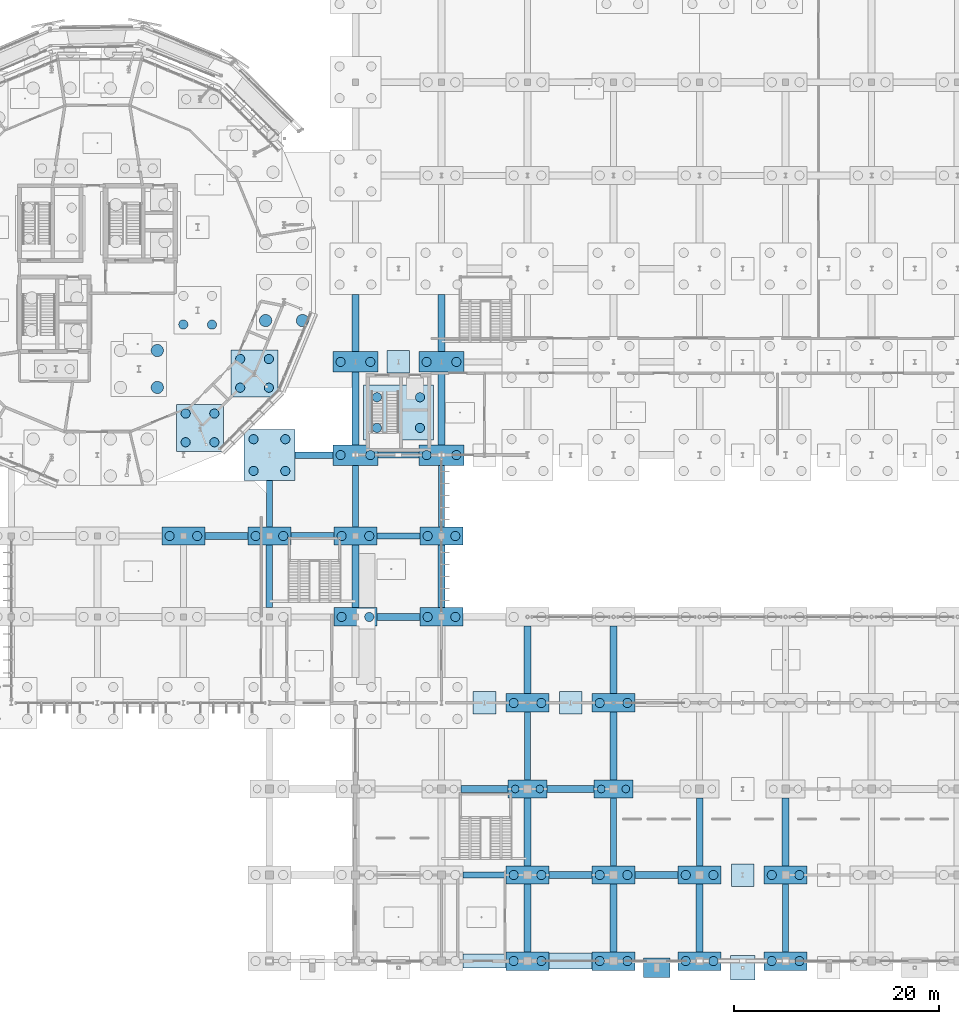
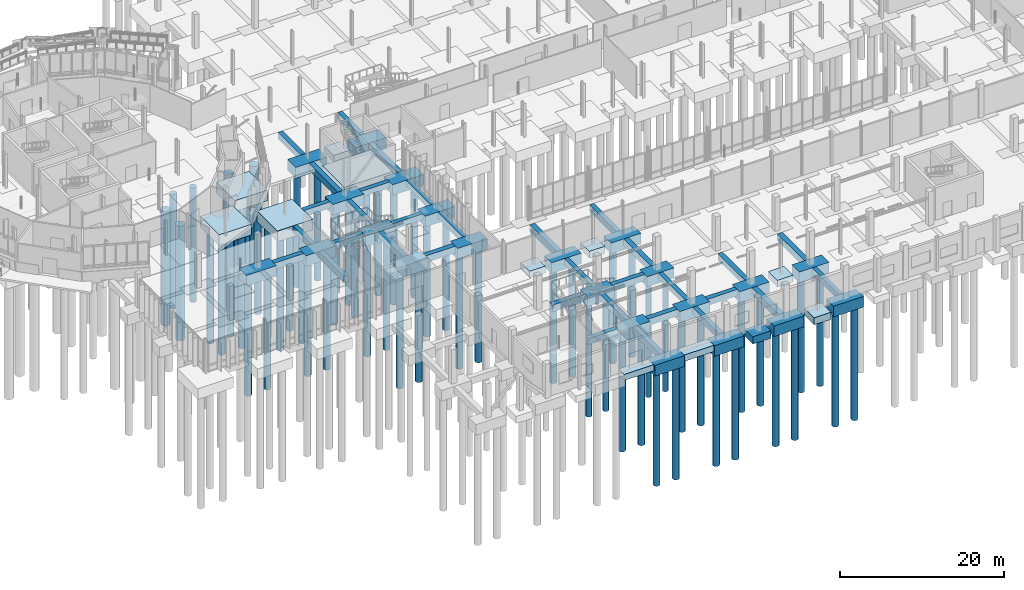
# One storey, part 2 of 119: 67 footings, 66 piles.
"""IFC4 building model written with IfcOpenShell, lengths in metres."""

from ifc_helpers import new_model, si_unit, derived_unit, direction, frame, origin, origin_2d, place, context, subcontext, project, spatial, rectangle, circle, extrude, material, layer, layer_set, material_profile, profile_set, type_object, element, save


model = new_model("IFC4")

# Units and contexts
model_context = context("Model", 3, precision=1e-05, world=origin(), true_north=direction((0.0, 1.0)))
body_context = subcontext(model_context, "Body", "Model", "MODEL_VIEW")
ifc_project = project(units=[si_unit("LENGTHUNIT", "METRE"), si_unit("AREAUNIT", "SQUARE_METRE"), si_unit("VOLUMEUNIT", "CUBIC_METRE"), si_unit("PLANEANGLEUNIT", "RADIAN"), si_unit("MASSUNIT", "GRAM", prefix="KILO"), derived_unit("THERMALTRANSMITTANCEUNIT", [(si_unit("MASSUNIT", "GRAM", prefix="KILO"), 1), (si_unit("TIMEUNIT", "SECOND"), -3), (si_unit("THERMODYNAMICTEMPERATUREUNIT", "KELVIN"), -1)])], contexts=[model_context])

# Site, building, storey
site_placement = place(None, origin())
site = spatial("IfcSite", under=ifc_project, at=site_placement, CompositionType="ELEMENT")
building_placement = place(site_placement, origin())
building = spatial("IfcBuilding", under=site, at=building_placement, Name="Makaiwela Harbour Ferry Terminal", CompositionType="ELEMENT")
storey_placement = place(building_placement, origin())
storey = spatial("IfcBuildingStorey", under=building, at=storey_placement, Name="L00", CompositionType="ELEMENT", Elevation=0.0)

# Footings
ifc_material_1 = material(Name="Concrete f'c 45 MPa (6500 psi)", Category="concrete")
ifc_layer_1 = layer(ifc_material_1, 1.0)
ifc_layer_set_1 = layer_set([ifc_layer_1], Name="Concrete f'c 45 MPa (6500 psi)")
footing_type_1 = type_object("IfcFootingType", Name="FND-PAD-01", PredefinedType="PAD_FOOTING", material=ifc_layer_set_1)
for number, where, z_axis, x_axis, name in (
    (1, (67.199951171875, 58.5, -1.0), (0.0, 0.0, 1.0), (1.0, 0.0, 0.0), "Foundation Footing PF-01"),
    (2, (75.60009765625, 25.199951171875, -1.0), (0.0, 0.0, 1.0), (1.0, 0.0, 0.0), "Foundation Footing PF-01"),
    (3, (84.0, 25.199951171875, -1.0), (0.0, 0.0, 1.0), (1.0, 0.0, 0.0), "Foundation Footing PF-01"),
    (4, (100.800048828125, 8.39990234375, -1.0), (0.0, 0.0, 1.0), (1.0, 0.0, 0.0), "Foundation Footing PF-01"),
):
    element("IfcFooting", number, at=place(storey_placement, frame(where, z_axis=z_axis, x_axis=x_axis)), inside=storey, type_object=footing_type_1, Name=name, PredefinedType="PAD_FOOTING", context=body_context, shape_type="SweptSolid", body=[
        extrude(rectangle(XDim=2.199951171875, YDim=2.199951171875, at=origin_2d()), origin(), (0.0, 0.0, 1.0), 1.0),
    ])
ifc_layer_2 = layer(ifc_material_1, 1.10009765625)
ifc_layer_set_2 = layer_set([ifc_layer_2], Name="Concrete f'c 45 MPa (6500 psi)")
footing_type_2 = type_object("IfcFootingType", Name="FND-PAD-02", PredefinedType="PAD_FOOTING", material=ifc_layer_set_2)
footing_1_placement = place(storey_placement, frame((92.39990234375, -0.64990234375, -1.10009765625), z_axis=(0.0, 0.0, 1.0), x_axis=(1.0, 0.0, 0.0)))
element("IfcFooting", 5, at=footing_1_placement, inside=storey, type_object=footing_type_2, Name="Foundation Footing PF-02", PredefinedType="PAD_FOOTING", context=body_context, shape_type="SweptSolid", body=[
    extrude(rectangle(XDim=2.60009765625, YDim=1.89990234375, at=origin_2d()), origin(), (0.0, 0.0, 1.0), 1.10009765625),
])
ifc_layer_3 = layer(ifc_material_1, 1.050048828125)
ifc_layer_set_3 = layer_set([ifc_layer_3], Name="Concrete f'c 45 MPa (6500 psi)")
footing_type_3 = type_object("IfcFootingType", Name="FND-PAD-03", PredefinedType="PAD_FOOTING", material=ifc_layer_set_3)
footing_2_placement = place(storey_placement, frame((100.800048828125, -0.64990234375, -1.0498046875), z_axis=(0.0, 0.0, 1.0), x_axis=(1.0, 0.0, 0.0)))
element("IfcFooting", 6, at=footing_2_placement, inside=storey, type_object=footing_type_3, Name="Foundation Footing PF-03", PredefinedType="PAD_FOOTING", context=body_context, shape_type="SweptSolid", body=[
    extrude(rectangle(XDim=2.39990234375, YDim=2.39990234375, at=origin_2d()), origin(), (0.0, 0.0, 1.0), 1.050048828125),
])
ifc_layer_4 = layer(ifc_material_1, 1.60009765625)
ifc_layer_set_4 = layer_set([ifc_layer_4], Name="Concrete f'c 45 MPa (6500 psi)")
footing_type_4 = type_object("IfcFootingType", Name="FND-PC-01", PredefinedType="PILE_CAP", material=ifc_layer_set_4)
for number, where, z_axis, x_axis, name in (
    (7, (46.199951171875, 41.5, -1.60009765625), (0.0, 0.0, 1.0), (1.0, 0.0, 0.0), "Foundation Footing PC-01"),
    (8, (54.60009765625, 41.5, -1.60009765625), (0.0, 0.0, 1.0), (1.0, 0.0, 0.0), "Foundation Footing PC-01"),
    (9, (63.0, 33.60009765625, -1.60009765625), (0.0, 0.0, 1.0), (1.0, 0.0, 0.0), "Foundation Footing PC-01"),
    (10, (63.0, 41.5, -1.60009765625), (0.0, 0.0, 1.0), (1.0, 0.0, 0.0), "Foundation Footing PC-01"),
    (11, (71.39990234375, 33.60009765625, -1.60009765625), (0.0, 0.0, 1.0), (1.0, 0.0, 0.0), "Foundation Footing PC-01"),
    (12, (71.39990234375, 41.5, -1.60009765625), (0.0, 0.0, 1.0), (1.0, 0.0, 0.0), "Foundation Footing PC-01"),
    (13, (79.800048828125, 25.199951171875, -1.60009765625), (0.0, 0.0, 1.0), (1.0, 0.0, 0.0), "Foundation Footing PC-01"),
    (14, (88.199951171875, 25.199951171875, -1.60009765625), (0.0, 0.0, 1.0), (1.0, 0.0, 0.0), "Foundation Footing PC-01"),
    (15, (79.800048828125, 0.0, -1.60009765625), (0.0, 0.0, 1.0), (1.0, 0.0, 0.0), "Foundation Footing PC-01"),
    (16, (79.800048828125, 8.39990234375, -1.60009765625), (0.0, 0.0, 1.0), (1.0, 0.0, 0.0), "Foundation Footing PC-01"),
    (17, (88.199951171875, 0.0, -1.60009765625), (0.0, 0.0, 1.0), (1.0, 0.0, 0.0), "Foundation Footing PC-01"),
    (18, (88.199951171875, 8.39990234375, -1.60009765625), (0.0, 0.0, 1.0), (1.0, 0.0, 0.0), "Foundation Footing PC-01"),
    (19, (96.60009765625, 0.0, -1.60009765625), (0.0, 0.0, 1.0), (1.0, 0.0, 0.0), "Foundation Footing PC-01"),
    (20, (96.60009765625, 8.39990234375, -1.60009765625), (0.0, 0.0, 1.0), (1.0, 0.0, 0.0), "Foundation Footing PC-01"),
    (21, (105.0, 0.0, -1.60009765625), (0.0, 0.0, 1.0), (1.0, 0.0, 0.0), "Foundation Footing PC-01"),
    (22, (105.0, 8.39990234375, -1.60009765625), (0.0, 0.0, 1.0), (1.0, 0.0, 0.0), "Foundation Footing PC-01"),
):
    element("IfcFooting", number, at=place(storey_placement, frame(where, z_axis=z_axis, x_axis=x_axis)), inside=storey, type_object=footing_type_4, Name=name, PredefinedType="PILE_CAP", context=body_context, shape_type="SweptSolid", body=[
        extrude(rectangle(XDim=4.199951171875, YDim=1.800048828125, at=origin_2d()), origin(), (0.0, 0.0, 1.0), 1.60009765625),
    ])
ifc_layer_5 = layer(ifc_material_1, 1.60009765625)
ifc_layer_set_5 = layer_set([ifc_layer_5], Name="Concrete f'c 45 MPa (6500 psi)")
footing_type_5 = type_object("IfcFootingType", Name="FND-PC-02", PredefinedType="PILE_CAP", material=ifc_layer_set_5)
for number, where, z_axis, x_axis, name in (
    (23, (63.0, 49.39990234375, -1.60009765625), (0.0, 0.0, 1.0), (1.0, 0.0, 0.0), "Foundation Footing PC-02"),
    (24, (63.0, 58.5, -1.60009765625), (0.0, 0.0, 1.0), (1.0, 0.0, 0.0), "Foundation Footing PC-02"),
    (25, (71.39990234375, 49.39990234375, -1.60009765625), (0.0, 0.0, 1.0), (1.0, 0.0, 0.0), "Foundation Footing PC-02"),
    (26, (71.39990234375, 58.5, -1.60009765625), (0.0, 0.0, 1.0), (1.0, 0.0, 0.0), "Foundation Footing PC-02"),
):
    element("IfcFooting", number, at=place(storey_placement, frame(where, z_axis=z_axis, x_axis=x_axis)), inside=storey, type_object=footing_type_5, Name=name, PredefinedType="PILE_CAP", context=body_context, shape_type="SweptSolid", body=[
        extrude(rectangle(XDim=4.39990234375, YDim=2.0, at=origin_2d()), origin(), (0.0, 0.0, 1.0), 1.60009765625),
    ])
ifc_layer_6 = layer(ifc_material_1, 1.60009765625)
ifc_layer_set_6 = layer_set([ifc_layer_6], Name="Concrete f'c 45 MPa (6500 psi)")
footing_type_6 = type_object("IfcFootingType", Name="FND-PC-03", PredefinedType="PILE_CAP", material=ifc_layer_set_6)
for number, where, z_axis, x_axis, name in (
    (27, (47.822509765625, 52.052490234375, -1.60009765625), (0.0, 0.0, 1.0), (1.0, 0.0, 0.0), "Foundation Footing PC-03"),
    (28, (53.1474609375, 57.37744140625, -1.60009765625), (0.0, 0.0, 1.0), (1.0, 0.0, 0.0), "Foundation Footing PC-03"),
):
    element("IfcFooting", number, at=place(storey_placement, frame(where, z_axis=z_axis, x_axis=x_axis)), inside=storey, type_object=footing_type_6, Name=name, PredefinedType="PILE_CAP", context=body_context, shape_type="SweptSolid", body=[
        extrude(rectangle(XDim=4.60009765625, YDim=4.60009765625, at=origin_2d()), origin(), (0.0, 0.0, 1.0), 1.60009765625),
    ])
ifc_layer_7 = layer(ifc_material_1, 1.60009765625)
ifc_layer_set_7 = layer_set([ifc_layer_7], Name="Concrete f'c 45 MPa (6500 psi)")
footing_type_7 = type_object("IfcFootingType", Name="FND-PC-04", PredefinedType="PILE_CAP", material=ifc_layer_set_7)
footing_3_placement = place(storey_placement, frame((54.60009765625, 49.39990234375, -1.60009765625), z_axis=(0.0, 0.0, 1.0), x_axis=(1.0, 0.0, 0.0)))
element("IfcFooting", 29, at=footing_3_placement, inside=storey, type_object=footing_type_7, Name="Foundation Footing PC-04", PredefinedType="PILE_CAP", context=body_context, shape_type="SweptSolid", body=[
    extrude(rectangle(XDim=5.0, YDim=5.0, at=origin_2d()), origin(), (0.0, 0.0, 1.0), 1.60009765625),
])
ifc_layer_8 = layer(ifc_material_1, 1.5)
ifc_layer_set_8 = layer_set([ifc_layer_8], Name="Concrete f'c 45 MPa (6500 psi)")
footing_type_8 = type_object("IfcFootingType", Name="FND-PC-07", PredefinedType="PILE_CAP", material=ifc_layer_set_8)
for number, where, z_axis, x_axis, name in (
    (30, (79.800048828125, 16.800048828125, -1.5), (0.0, 0.0, 1.0), (1.0, 0.0, 0.0), "Foundation Footing PC-07"),
    (31, (88.199951171875, 16.800048828125, -1.5), (0.0, 0.0, 1.0), (1.0, 0.0, 0.0), "Foundation Footing PC-07"),
):
    element("IfcFooting", number, at=place(storey_placement, frame(where, z_axis=z_axis, x_axis=x_axis)), inside=storey, type_object=footing_type_8, Name=name, PredefinedType="PILE_CAP", context=body_context, shape_type="SweptSolid", body=[
        extrude(rectangle(XDim=3.800048828125, YDim=1.800048828125, at=origin_2d()), origin(), (0.0, 0.0, 1.0), 1.5),
    ])
ifc_layer_9 = layer(ifc_material_1, 1.60009765625)
ifc_layer_set_9 = layer_set([ifc_layer_9], Name="Concrete f'c 45 MPa (6500 psi)")
footing_type_9 = type_object("IfcFootingType", Name="FND-PC-09", PredefinedType="PILE_CAP", material=ifc_layer_set_9)
footing_4_placement = place(storey_placement, frame((67.199951171875, 53.550048828125, -1.60009765625), z_axis=(0.0, 0.0, 1.0), x_axis=(1.0, 0.0, 0.0)))
element("IfcFooting", 32, at=footing_4_placement, inside=storey, type_object=footing_type_9, Name="Foundation Footing PC-09", PredefinedType="PILE_CAP", context=body_context, shape_type="SweptSolid", body=[
    extrude(rectangle(XDim=6.800048828125, YDim=5.39990234375, at=origin_2d()), origin(), (0.0, 0.0, 1.0), 1.60009765625),
])

# Piles
ifc_material_profile_1 = material_profile(ifc_material_1, circle(Radius=0.60009765625, at=origin_2d()), Name="PILE-D1200")
ifc_profile_set_1 = profile_set([ifc_material_profile_1], Name="Concrete f'c 45 MPa (6500 psi)")
pile_type_1 = type_object("IfcPileType", Name="FND-PIL-D1200", PredefinedType="BORED", material=ifc_profile_set_1)
for number, where, z_axis, x_axis, name in (
    (33, (43.656494140625, 56.0068359375, -1.449951171875), (0.0, 0.0, -1.0), (1.0, 0.0, 0.0), "Marine Pile MP-02"),
    (34, (43.656494140625, 59.60693359375, -1.449951171875), (0.0, 0.0, -1.0), (1.0, 0.0, 0.0), "Marine Pile MP-02"),
    (35, (54.229248046875, 62.534912109375, -1.449951171875), (0.0, 0.0, -1.0), (1.0, 0.0, 0.0), "Marine Pile MP-02"),
    (36, (57.8291015625, 62.534912109375, -1.449951171875), (0.0, 0.0, -1.0), (1.0, 0.0, 0.0), "Marine Pile MP-02"),
):
    element("IfcPile", number, at=place(storey_placement, frame(where, z_axis=z_axis, x_axis=x_axis)), inside=storey, type_object=pile_type_1, Name=name, PredefinedType="BORED", context=body_context, shape_type="SweptSolid", body=[
        extrude(circle(Radius=0.60009765625, at=origin_2d()), origin(), (0.0, 0.0, 1.0), 17.050048828125),
    ])
ifc_material_2 = material(Name="Precast concrete f'c 45 MPa (6500 psi)", Category="concrete")
ifc_material_profile_2 = material_profile(ifc_material_2, circle(Radius=0.375, at=origin_2d()), Name="PILE-D750")
ifc_profile_set_2 = profile_set([ifc_material_profile_2], Name="Precast concrete f'c 45 MPa (6500 psi)")
pile_type_2 = type_object("IfcPileType", Name="FND-PIL-D750", PredefinedType="DRIVEN", material=ifc_profile_set_2)
for number, where, z_axis, x_axis, name in (
    (37, (78.60009765625, 16.800048828125, -1.35009765625), (0.0, 0.0, -1.0), (1.0, 0.0, 0.0), "Marine Pile MP-03"),
    (38, (81.0, 16.800048828125, -1.35009765625), (0.0, 0.0, -1.0), (1.0, 0.0, 0.0), "Marine Pile MP-03"),
    (39, (87.0, 16.800048828125, -1.35009765625), (0.0, 0.0, -1.0), (1.0, 0.0, 0.0), "Marine Pile MP-03"),
    (40, (89.39990234375, 16.800048828125, -1.35009765625), (0.0, 0.0, -1.0), (1.0, 0.0, 0.0), "Marine Pile MP-03"),
):
    element("IfcPile", number, at=place(storey_placement, frame(where, z_axis=z_axis, x_axis=x_axis)), inside=storey, type_object=pile_type_2, Name=name, PredefinedType="DRIVEN", context=body_context, shape_type="SweptSolid", body=[
        extrude(circle(Radius=0.375, at=origin_2d()), origin(), (0.0, 0.0, 1.0), 17.14990234375),
    ])
ifc_material_profile_3 = material_profile(ifc_material_1, circle(Radius=0.449951171875, at=origin_2d()), Name="PILE-D900")
ifc_profile_set_3 = profile_set([ifc_material_profile_3], Name="Concrete f'c 45 MPa (6500 psi)")
pile_type_3 = type_object("IfcPileType", Name="FND-PIL-D900", PredefinedType="BORED", material=ifc_profile_set_3)
for number, where, z_axis, x_axis, name in (
    (41, (65.10009765625, 52.050048828125, -1.449951171875), (0.0, 0.0, -1.0), (1.0, 0.0, 0.0), "Marine Pile MP-01"),
    (42, (69.300048828125, 52.050048828125, -1.449951171875), (0.0, 0.0, -1.0), (1.0, 0.0, 0.0), "Marine Pile MP-01"),
    (43, (65.10009765625, 55.050048828125, -1.449951171875), (0.0, 0.0, -1.0), (1.0, 0.0, 0.0), "Marine Pile MP-01"),
    (44, (69.300048828125, 55.050048828125, -1.449951171875), (0.0, 0.0, -1.0), (1.0, 0.0, 0.0), "Marine Pile MP-01"),
    (45, (46.193115234375, 62.1435546875, -1.449951171875), (0.0, 0.0, -1.0), (1.0, 0.0, 0.0), "Marine Pile MP-01"),
    (46, (48.9931640625, 62.1435546875, -1.449951171875), (0.0, 0.0, -1.0), (1.0, 0.0, 0.0), "Marine Pile MP-01"),
    (47, (46.422607421875, 50.652587890625, -1.449951171875), (0.0, 0.0, -1.0), (1.0, 0.0, 0.0), "Marine Pile MP-01"),
    (48, (49.222412109375, 50.652587890625, -1.449951171875), (0.0, 0.0, -1.0), (1.0, 0.0, 0.0), "Marine Pile MP-01"),
    (49, (46.422607421875, 53.45263671875, -1.449951171875), (0.0, 0.0, -1.0), (1.0, 0.0, 0.0), "Marine Pile MP-01"),
    (50, (49.222412109375, 53.45263671875, -1.449951171875), (0.0, 0.0, -1.0), (1.0, 0.0, 0.0), "Marine Pile MP-01"),
    (51, (51.747314453125, 55.9775390625, -1.449951171875), (0.0, 0.0, -1.0), (1.0, 0.0, 0.0), "Marine Pile MP-01"),
    (52, (54.54736328125, 55.9775390625, -1.449951171875), (0.0, 0.0, -1.0), (1.0, 0.0, 0.0), "Marine Pile MP-01"),
    (53, (51.747314453125, 58.777587890625, -1.449951171875), (0.0, 0.0, -1.0), (1.0, 0.0, 0.0), "Marine Pile MP-01"),
    (54, (54.54736328125, 58.777587890625, -1.449951171875), (0.0, 0.0, -1.0), (1.0, 0.0, 0.0), "Marine Pile MP-01"),
    (55, (61.550048828125, 49.39990234375, -1.449951171875), (0.0, 0.0, -1.0), (1.0, 0.0, 0.0), "Marine Pile MP-01"),
    (56, (64.449951171875, 49.39990234375, -1.449951171875), (0.0, 0.0, -1.0), (1.0, 0.0, 0.0), "Marine Pile MP-01"),
    (57, (61.550048828125, 58.5, -1.449951171875), (0.0, 0.0, -1.0), (1.0, 0.0, 0.0), "Marine Pile MP-01"),
    (58, (64.449951171875, 58.5, -1.449951171875), (0.0, 0.0, -1.0), (1.0, 0.0, 0.0), "Marine Pile MP-01"),
    (59, (69.949951171875, 49.39990234375, -1.449951171875), (0.0, 0.0, -1.0), (1.0, 0.0, 0.0), "Marine Pile MP-01"),
    (60, (72.85009765625, 49.39990234375, -1.449951171875), (0.0, 0.0, -1.0), (1.0, 0.0, 0.0), "Marine Pile MP-01"),
    (61, (69.949951171875, 58.5, -1.449951171875), (0.0, 0.0, -1.0), (1.0, 0.0, 0.0), "Marine Pile MP-01"),
    (62, (72.85009765625, 58.5, -1.449951171875), (0.0, 0.0, -1.0), (1.0, 0.0, 0.0), "Marine Pile MP-01"),
    (63, (44.85009765625, 41.5, -1.449951171875), (0.0, 0.0, -1.0), (1.0, 0.0, 0.0), "Marine Pile MP-01"),
    (64, (47.550048828125, 41.5, -1.449951171875), (0.0, 0.0, -1.0), (1.0, 0.0, 0.0), "Marine Pile MP-01"),
    (65, (53.25, 41.5, -1.449951171875), (0.0, 0.0, -1.0), (1.0, 0.0, 0.0), "Marine Pile MP-01"),
    (66, (55.949951171875, 41.5, -1.449951171875), (0.0, 0.0, -1.0), (1.0, 0.0, 0.0), "Marine Pile MP-01"),
    (67, (53.050048828125, 47.85009765625, -1.449951171875), (0.0, 0.0, -1.0), (1.0, 0.0, 0.0), "Marine Pile MP-01"),
    (68, (56.14990234375, 47.85009765625, -1.449951171875), (0.0, 0.0, -1.0), (1.0, 0.0, 0.0), "Marine Pile MP-01"),
    (69, (53.050048828125, 50.949951171875, -1.449951171875), (0.0, 0.0, -1.0), (1.0, 0.0, 0.0), "Marine Pile MP-01"),
    (70, (56.14990234375, 50.949951171875, -1.449951171875), (0.0, 0.0, -1.0), (1.0, 0.0, 0.0), "Marine Pile MP-01"),
    (71, (61.64990234375, 33.60009765625, -1.449951171875), (0.0, 0.0, -1.0), (1.0, 0.0, 0.0), "Marine Pile MP-01"),
    (72, (64.35009765625, 33.60009765625, -1.449951171875), (0.0, 0.0, -1.0), (1.0, 0.0, 0.0), "Marine Pile MP-01"),
    (73, (61.64990234375, 41.5, -1.449951171875), (0.0, 0.0, -1.0), (1.0, 0.0, 0.0), "Marine Pile MP-01"),
    (74, (64.35009765625, 41.5, -1.449951171875), (0.0, 0.0, -1.0), (1.0, 0.0, 0.0), "Marine Pile MP-01"),
    (75, (70.050048828125, 33.60009765625, -1.449951171875), (0.0, 0.0, -1.0), (1.0, 0.0, 0.0), "Marine Pile MP-01"),
    (76, (72.75, 33.60009765625, -1.449951171875), (0.0, 0.0, -1.0), (1.0, 0.0, 0.0), "Marine Pile MP-01"),
    (77, (70.050048828125, 41.5, -1.449951171875), (0.0, 0.0, -1.0), (1.0, 0.0, 0.0), "Marine Pile MP-01"),
    (78, (72.75, 41.5, -1.449951171875), (0.0, 0.0, -1.0), (1.0, 0.0, 0.0), "Marine Pile MP-01"),
    (79, (78.449951171875, 25.199951171875, -1.449951171875), (0.0, 0.0, -1.0), (1.0, 0.0, 0.0), "Marine Pile MP-01"),
    (80, (81.14990234375, 25.199951171875, -1.449951171875), (0.0, 0.0, -1.0), (1.0, 0.0, 0.0), "Marine Pile MP-01"),
    (81, (86.85009765625, 25.199951171875, -1.449951171875), (0.0, 0.0, -1.0), (1.0, 0.0, 0.0), "Marine Pile MP-01"),
    (82, (89.550048828125, 25.199951171875, -1.449951171875), (0.0, 0.0, -1.0), (1.0, 0.0, 0.0), "Marine Pile MP-01"),
    (83, (78.449951171875, 0.0, -1.449951171875), (0.0, 0.0, -1.0), (1.0, 0.0, 0.0), "Marine Pile MP-01"),
    (84, (81.14990234375, 0.0, -1.449951171875), (0.0, 0.0, -1.0), (1.0, 0.0, 0.0), "Marine Pile MP-01"),
    (85, (78.449951171875, 8.39990234375, -1.449951171875), (0.0, 0.0, -1.0), (1.0, 0.0, 0.0), "Marine Pile MP-01"),
    (86, (81.14990234375, 8.39990234375, -1.449951171875), (0.0, 0.0, -1.0), (1.0, 0.0, 0.0), "Marine Pile MP-01"),
    (87, (86.85009765625, 0.0, -1.449951171875), (0.0, 0.0, -1.0), (1.0, 0.0, 0.0), "Marine Pile MP-01"),
    (88, (89.550048828125, 0.0, -1.449951171875), (0.0, 0.0, -1.0), (1.0, 0.0, 0.0), "Marine Pile MP-01"),
    (89, (86.85009765625, 8.39990234375, -1.449951171875), (0.0, 0.0, -1.0), (1.0, 0.0, 0.0), "Marine Pile MP-01"),
    (90, (89.550048828125, 8.39990234375, -1.449951171875), (0.0, 0.0, -1.0), (1.0, 0.0, 0.0), "Marine Pile MP-01"),
    (91, (95.25, 0.0, -1.449951171875), (0.0, 0.0, -1.0), (1.0, 0.0, 0.0), "Marine Pile MP-01"),
    (92, (97.949951171875, 0.0, -1.449951171875), (0.0, 0.0, -1.0), (1.0, 0.0, 0.0), "Marine Pile MP-01"),
    (93, (95.25, 8.39990234375, -1.449951171875), (0.0, 0.0, -1.0), (1.0, 0.0, 0.0), "Marine Pile MP-01"),
    (94, (97.949951171875, 8.39990234375, -1.449951171875), (0.0, 0.0, -1.0), (1.0, 0.0, 0.0), "Marine Pile MP-01"),
    (95, (103.64990234375, 0.0, -1.449951171875), (0.0, 0.0, -1.0), (1.0, 0.0, 0.0), "Marine Pile MP-01"),
    (96, (106.35009765625, 0.0, -1.449951171875), (0.0, 0.0, -1.0), (1.0, 0.0, 0.0), "Marine Pile MP-01"),
    (97, (103.64990234375, 8.39990234375, -1.449951171875), (0.0, 0.0, -1.0), (1.0, 0.0, 0.0), "Marine Pile MP-01"),
    (98, (106.35009765625, 8.39990234375, -1.449951171875), (0.0, 0.0, -1.0), (1.0, 0.0, 0.0), "Marine Pile MP-01"),
):
    element("IfcPile", number, at=place(storey_placement, frame(where, z_axis=z_axis, x_axis=x_axis)), inside=storey, type_object=pile_type_3, Name=name, PredefinedType="BORED", context=body_context, shape_type="SweptSolid", body=[
        extrude(circle(Radius=0.449951171875, at=origin_2d()), origin(), (0.0, 0.0, 1.0), 17.050048828125),
    ])

# Footings
ifc_layer_10 = layer(ifc_material_1, 0.89990234375)
ifc_layer_set_10 = layer_set([ifc_layer_10], Name="Concrete f'c 45 MPa (6500 psi)")
footing_type_10 = type_object("IfcFootingType", Name="FND-STR-01", PredefinedType="STRIP_FOOTING", material=ifc_layer_set_10)
footing_5_placement = place(storey_placement, frame((75.60009765625, 0.0, -0.89990234375), z_axis=(0.0, 0.0, 1.0), x_axis=(1.0, 0.0, 0.0)))
element("IfcFooting", 99, at=footing_5_placement, inside=storey, type_object=footing_type_10, Name="Foundation Footing SF-01", PredefinedType="STRIP_FOOTING", context=body_context, shape_type="SweptSolid", body=[
    extrude(rectangle(XDim=4.199951171875, YDim=1.39990234375, at=origin_2d()), origin(), (0.0, 0.0, 1.0), 0.89990234375),
])
ifc_layer_11 = layer(ifc_material_1, 0.949951171875)
ifc_layer_set_11 = layer_set([ifc_layer_11], Name="Concrete f'c 45 MPa (6500 psi)")
footing_type_11 = type_object("IfcFootingType", Name="FND-STR-02", PredefinedType="STRIP_FOOTING", material=ifc_layer_set_11)
footing_6_placement = place(storey_placement, frame((84.0, 0.0, -0.9501953125), z_axis=(0.0, 0.0, 1.0), x_axis=(1.0, 0.0, 0.0)))
element("IfcFooting", 100, at=footing_6_placement, inside=storey, type_object=footing_type_11, Name="Foundation Footing SF-02", PredefinedType="STRIP_FOOTING", context=body_context, shape_type="SweptSolid", body=[
    extrude(rectangle(XDim=4.199951171875, YDim=1.550048828125, at=origin_2d()), origin(), (0.0, 0.0, 1.0), 0.949951171875),
])
ifc_layer_12 = layer(ifc_material_1, 0.89990234375)
ifc_layer_set_12 = layer_set([ifc_layer_12], Name="Concrete f'c 45 MPa (6500 psi)")
footing_type_12 = type_object("IfcFootingType", Name="FND-TB-01", PredefinedType="FOOTING_BEAM", material=ifc_layer_set_12)
for number, where, z_axis, x_axis, name in (
    (101, (75.60009765625, 8.39990234375, -0.89990234375), (0.0, 0.0, 1.0), (1.0, 0.0, 0.0), "Foundation Footing TB-01"),
    (102, (67.199951171875, 41.5, -0.89990234375), (0.0, 0.0, 1.0), (1.0, 0.0, 0.0), "Foundation Footing TB-01"),
):
    element("IfcFooting", number, at=place(storey_placement, frame(where, z_axis=z_axis, x_axis=x_axis)), inside=storey, type_object=footing_type_12, Name=name, PredefinedType="FOOTING_BEAM", context=body_context, shape_type="SweptSolid", body=[
        extrude(rectangle(XDim=4.199951171875, YDim=0.60009765625, at=origin_2d()), origin(), (0.0, 0.0, 1.0), 0.89990234375),
    ])
footing_7_placement = place(storey_placement, frame((67.199951171875, 49.39990234375, -0.89990234375), z_axis=(0.0, 0.0, 1.0), x_axis=(1.0, 0.0, 0.0)))
element("IfcFooting", 103, at=footing_7_placement, inside=storey, type_object=footing_type_12, Name="Foundation Footing TB-01", PredefinedType="FOOTING_BEAM", context=body_context, shape_type="SweptSolid", body=[
    extrude(rectangle(XDim=4.0, YDim=0.60009765625, at=origin_2d()), origin(), (0.0, 0.0, 1.0), 0.89990234375),
])
footing_8_placement = place(storey_placement, frame((54.60009765625, 44.64990234375, -0.89990234375), z_axis=(0.0, 0.0, 1.0), x_axis=(0.0, 1.0, 0.0)))
element("IfcFooting", 104, at=footing_8_placement, inside=storey, type_object=footing_type_12, Name="Foundation Footing TB-01", PredefinedType="FOOTING_BEAM", context=body_context, shape_type="SweptSolid", body=[
    extrude(rectangle(XDim=4.5, YDim=0.60009765625, at=origin_2d()), origin(), (0.0, 0.0, 1.0), 0.89990234375),
])
for number, where, z_axis, x_axis, name in (
    (105, (63.0, 45.39990234375, -0.89990234375), (0.0, 0.0, 1.0), (0.0, 1.0, 0.0), "Foundation Footing TB-01"),
    (106, (71.39990234375, 45.39990234375, -0.89990234375), (0.0, 0.0, 1.0), (0.0, 1.0, 0.0), "Foundation Footing TB-01"),
):
    element("IfcFooting", number, at=place(storey_placement, frame(where, z_axis=z_axis, x_axis=x_axis)), inside=storey, type_object=footing_type_12, Name=name, PredefinedType="FOOTING_BEAM", context=body_context, shape_type="SweptSolid", body=[
        extrude(rectangle(XDim=6.0, YDim=0.60009765625, at=origin_2d()), origin(), (0.0, 0.0, 1.0), 0.89990234375),
    ])
for number, where, z_axis, x_axis, name in (
    (107, (79.800048828125, 21.0, -0.89990234375), (0.0, 0.0, 1.0), (0.0, 1.0, 0.0), "Foundation Footing TB-01"),
    (108, (88.199951171875, 12.60009765625, -0.89990234375), (0.0, 0.0, 1.0), (0.0, 1.0, 0.0), "Foundation Footing TB-01"),
    (109, (105.0, 4.199951171875, -0.89990234375), (0.0, 0.0, 1.0), (0.0, 1.0, 0.0), "Foundation Footing TB-01"),
):
    element("IfcFooting", number, at=place(storey_placement, frame(where, z_axis=z_axis, x_axis=x_axis)), inside=storey, type_object=footing_type_12, Name=name, PredefinedType="FOOTING_BEAM", context=body_context, shape_type="SweptSolid", body=[
        extrude(rectangle(XDim=6.60009765625, YDim=0.60009765625, at=origin_2d()), origin(), (0.0, 0.0, 1.0), 0.89990234375),
    ])
ifc_layer_13 = layer(ifc_material_1, 1.0)
ifc_layer_set_13 = layer_set([ifc_layer_13], Name="Concrete f'c 45 MPa (6500 psi)")
footing_type_13 = type_object("IfcFootingType", Name="FND-TB-02", PredefinedType="FOOTING_BEAM", material=ifc_layer_set_13)
footing_9_placement = place(storey_placement, frame((84.0, 8.39990234375, -1.0), z_axis=(0.0, 0.0, 1.0), x_axis=(1.0, 0.0, 0.0)))
element("IfcFooting", 110, at=footing_9_placement, inside=storey, type_object=footing_type_13, Name="Foundation Footing TB-02", PredefinedType="FOOTING_BEAM", context=body_context, shape_type="SweptSolid", body=[
    extrude(rectangle(XDim=4.199951171875, YDim=0.699951171875, at=origin_2d()), origin(), (0.0, 0.0, 1.0), 1.0),
])
footing_10_placement = place(storey_placement, frame((75.60009765625, 16.800048828125, -1.0), z_axis=(0.0, 0.0, 1.0), x_axis=(1.0, 0.0, 0.0)))
element("IfcFooting", 111, at=footing_10_placement, inside=storey, type_object=footing_type_13, Name="Foundation Footing TB-02", PredefinedType="FOOTING_BEAM", context=body_context, shape_type="SweptSolid", body=[
    extrude(rectangle(XDim=4.60009765625, YDim=0.699951171875, at=origin_2d()), origin(), (0.0, 0.0, 1.0), 1.0),
])
for number, where, z_axis, x_axis, name in (
    (112, (67.199951171875, 33.60009765625, -1.0), (0.0, 0.0, 1.0), (1.0, 0.0, 0.0), "Foundation Footing TB-02"),
    (113, (50.39990234375, 41.5, -1.0), (0.0, 0.0, 1.0), (1.0, 0.0, 0.0), "Foundation Footing TB-02"),
):
    element("IfcFooting", number, at=place(storey_placement, frame(where, z_axis=z_axis, x_axis=x_axis)), inside=storey, type_object=footing_type_13, Name=name, PredefinedType="FOOTING_BEAM", context=body_context, shape_type="SweptSolid", body=[
        extrude(rectangle(XDim=4.199951171875, YDim=0.699951171875, at=origin_2d()), origin(), (0.0, 0.0, 1.0), 1.0),
    ])
for number, where, z_axis, x_axis, name in (
    (114, (63.0, 53.949951171875, -1.0), (0.0, 0.0, 1.0), (0.0, 1.0, 0.0), "Foundation Footing TB-02"),
    (115, (71.39990234375, 53.949951171875, -1.0), (0.0, 0.0, 1.0), (0.0, 1.0, 0.0), "Foundation Footing TB-02"),
):
    element("IfcFooting", number, at=place(storey_placement, frame(where, z_axis=z_axis, x_axis=x_axis)), inside=storey, type_object=footing_type_13, Name=name, PredefinedType="FOOTING_BEAM", context=body_context, shape_type="SweptSolid", body=[
        extrude(rectangle(XDim=7.10009765625, YDim=0.699951171875, at=origin_2d()), origin(), (0.0, 0.0, 1.0), 1.0),
    ])
for number, where, z_axis, x_axis, name in (
    (116, (79.800048828125, 4.199951171875, -1.0), (0.0, 0.0, 1.0), (0.0, 1.0, 0.0), "Foundation Footing TB-02"),
    (117, (79.800048828125, 29.39990234375, -1.0), (0.0, 0.0, 1.0), (0.0, 1.0, 0.0), "Foundation Footing TB-02"),
    (118, (88.199951171875, 21.0, -1.0), (0.0, 0.0, 1.0), (0.0, 1.0, 0.0), "Foundation Footing TB-02"),
    (119, (96.60009765625, 4.199951171875, -1.0), (0.0, 0.0, 1.0), (0.0, 1.0, 0.0), "Foundation Footing TB-02"),
    (120, (105.0, 12.60009765625, -1.0), (0.0, 0.0, 1.0), (0.0, 1.0, 0.0), "Foundation Footing TB-02"),
):
    element("IfcFooting", number, at=place(storey_placement, frame(where, z_axis=z_axis, x_axis=x_axis)), inside=storey, type_object=footing_type_13, Name=name, PredefinedType="FOOTING_BEAM", context=body_context, shape_type="SweptSolid", body=[
        extrude(rectangle(XDim=6.60009765625, YDim=0.699951171875, at=origin_2d()), origin(), (0.0, 0.0, 1.0), 1.0),
    ])
ifc_layer_14 = layer(ifc_material_1, 0.949951171875)
ifc_layer_set_14 = layer_set([ifc_layer_14], Name="Concrete f'c 45 MPa (6500 psi)")
footing_type_14 = type_object("IfcFootingType", Name="FND-TB-03", PredefinedType="FOOTING_BEAM", material=ifc_layer_set_14)
footing_11_placement = place(storey_placement, frame((92.39990234375, 8.39990234375, -0.9501953125), z_axis=(0.0, 0.0, 1.0), x_axis=(1.0, 0.0, 0.0)))
element("IfcFooting", 121, at=footing_11_placement, inside=storey, type_object=footing_type_14, Name="Foundation Footing TB-03", PredefinedType="FOOTING_BEAM", context=body_context, shape_type="SweptSolid", body=[
    extrude(rectangle(XDim=4.199951171875, YDim=0.64990234375, at=origin_2d()), origin(), (0.0, 0.0, 1.0), 0.949951171875),
])
footing_12_placement = place(storey_placement, frame((84.0, 16.800048828125, -0.9501953125), z_axis=(0.0, 0.0, 1.0), x_axis=(1.0, 0.0, 0.0)))
element("IfcFooting", 122, at=footing_12_placement, inside=storey, type_object=footing_type_14, Name="Foundation Footing TB-03", PredefinedType="FOOTING_BEAM", context=body_context, shape_type="SweptSolid", body=[
    extrude(rectangle(XDim=4.60009765625, YDim=0.64990234375, at=origin_2d()), origin(), (0.0, 0.0, 1.0), 0.949951171875),
])
footing_13_placement = place(storey_placement, frame((58.800048828125, 41.5, -0.9501953125), z_axis=(0.0, 0.0, 1.0), x_axis=(1.0, 0.0, 0.0)))
element("IfcFooting", 123, at=footing_13_placement, inside=storey, type_object=footing_type_14, Name="Foundation Footing TB-03", PredefinedType="FOOTING_BEAM", context=body_context, shape_type="SweptSolid", body=[
    extrude(rectangle(XDim=4.199951171875, YDim=0.64990234375, at=origin_2d()), origin(), (0.0, 0.0, 1.0), 0.949951171875),
])
footing_14_placement = place(storey_placement, frame((58.949951171875, 49.39990234375, -0.9501953125), z_axis=(0.0, 0.0, 1.0), x_axis=(1.0, 0.0, 0.0)))
element("IfcFooting", 124, at=footing_14_placement, inside=storey, type_object=footing_type_14, Name="Foundation Footing TB-03", PredefinedType="FOOTING_BEAM", context=body_context, shape_type="SweptSolid", body=[
    extrude(rectangle(XDim=3.699951171875, YDim=0.64990234375, at=origin_2d()), origin(), (0.0, 0.0, 1.0), 0.949951171875),
])
for number, where, z_axis, x_axis, name in (
    (125, (54.60009765625, 37.550048828125, -0.9501953125), (0.0, 0.0, 1.0), (0.0, 1.0, 0.0), "Foundation Footing TB-03"),
    (126, (63.0, 37.550048828125, -0.9501953125), (0.0, 0.0, 1.0), (0.0, 1.0, 0.0), "Foundation Footing TB-03"),
):
    element("IfcFooting", number, at=place(storey_placement, frame(where, z_axis=z_axis, x_axis=x_axis)), inside=storey, type_object=footing_type_14, Name=name, PredefinedType="FOOTING_BEAM", context=body_context, shape_type="SweptSolid", body=[
        extrude(rectangle(XDim=6.10009765625, YDim=0.64990234375, at=origin_2d()), origin(), (0.0, 0.0, 1.0), 0.949951171875),
    ])
footing_15_placement = place(storey_placement, frame((63.0, 62.300048828125, -0.9501953125), z_axis=(0.0, 0.0, 1.0), x_axis=(0.0, 1.0, 0.0)))
element("IfcFooting", 127, at=footing_15_placement, inside=storey, type_object=footing_type_14, Name="Foundation Footing TB-03", PredefinedType="FOOTING_BEAM", context=body_context, shape_type="SweptSolid", body=[
    extrude(rectangle(XDim=5.60009765625, YDim=0.64990234375, at=origin_2d()), origin(), (0.0, 0.0, 1.0), 0.949951171875),
])
footing_16_placement = place(storey_placement, frame((71.39990234375, 37.550048828125, -0.9501953125), z_axis=(0.0, 0.0, 1.0), x_axis=(0.0, 1.0, 0.0)))
element("IfcFooting", 128, at=footing_16_placement, inside=storey, type_object=footing_type_14, Name="Foundation Footing TB-03", PredefinedType="FOOTING_BEAM", context=body_context, shape_type="SweptSolid", body=[
    extrude(rectangle(XDim=6.10009765625, YDim=0.64990234375, at=origin_2d()), origin(), (0.0, 0.0, 1.0), 0.949951171875),
])
footing_17_placement = place(storey_placement, frame((71.39990234375, 62.300048828125, -0.9501953125), z_axis=(0.0, 0.0, 1.0), x_axis=(0.0, 1.0, 0.0)))
element("IfcFooting", 129, at=footing_17_placement, inside=storey, type_object=footing_type_14, Name="Foundation Footing TB-03", PredefinedType="FOOTING_BEAM", context=body_context, shape_type="SweptSolid", body=[
    extrude(rectangle(XDim=5.60009765625, YDim=0.64990234375, at=origin_2d()), origin(), (0.0, 0.0, 1.0), 0.949951171875),
])
for number, where, z_axis, x_axis, name in (
    (130, (79.800048828125, 12.60009765625, -0.9501953125), (0.0, 0.0, 1.0), (0.0, 1.0, 0.0), "Foundation Footing TB-03"),
    (131, (88.199951171875, 4.199951171875, -0.9501953125), (0.0, 0.0, 1.0), (0.0, 1.0, 0.0), "Foundation Footing TB-03"),
    (132, (88.199951171875, 29.39990234375, -0.9501953125), (0.0, 0.0, 1.0), (0.0, 1.0, 0.0), "Foundation Footing TB-03"),
    (133, (96.60009765625, 12.60009765625, -0.9501953125), (0.0, 0.0, 1.0), (0.0, 1.0, 0.0), "Foundation Footing TB-03"),
):
    element("IfcFooting", number, at=place(storey_placement, frame(where, z_axis=z_axis, x_axis=x_axis)), inside=storey, type_object=footing_type_14, Name=name, PredefinedType="FOOTING_BEAM", context=body_context, shape_type="SweptSolid", body=[
        extrude(rectangle(XDim=6.60009765625, YDim=0.64990234375, at=origin_2d()), origin(), (0.0, 0.0, 1.0), 0.949951171875),
    ])

save(model, "model.ifc")
